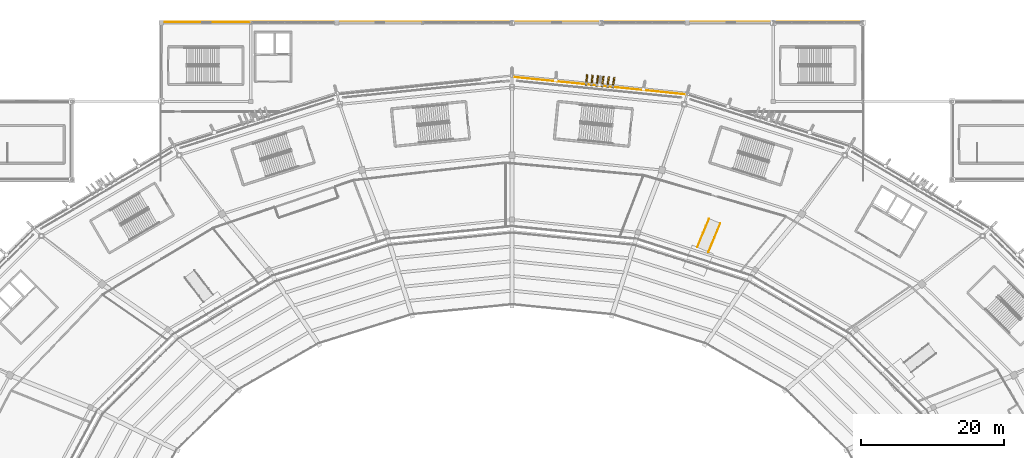
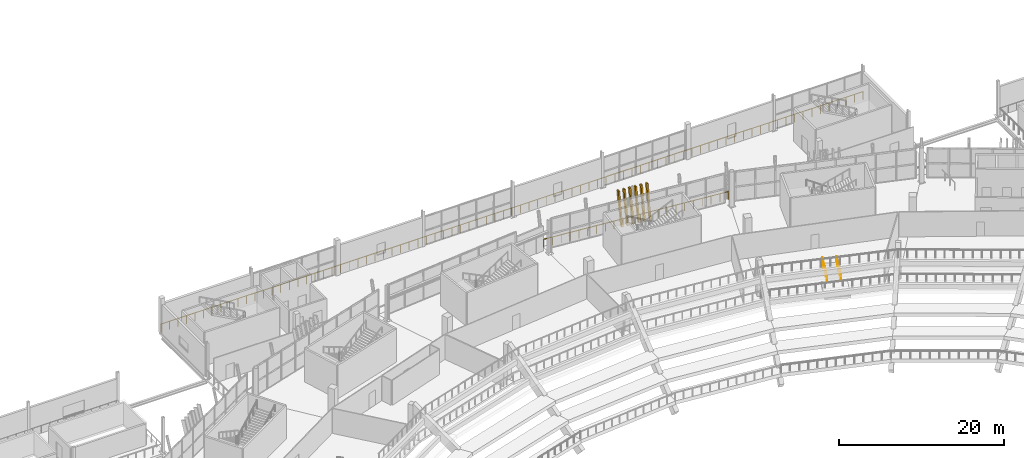
# One storey, part 176 of 178: 6 shading devices, 4 railings.
"""IFC4 building model written with IfcOpenShell, lengths in metres."""

from ifc_helpers import new_model, si_unit, direction, frame, origin, origin_2d, place, context, subcontext, project, spatial, rectangle, extrude, material, material_profile, profile_set, type_object, element, save


model = new_model("IFC4")

# Units and contexts
model_context = context("Model", 3, precision=1e-05, world=origin(), true_north=direction((0.0, 1.0)))
body_context = subcontext(model_context, "Body", "Model", "MODEL_VIEW")
ifc_project = project(units=[si_unit("LENGTHUNIT", "METRE"), si_unit("AREAUNIT", "SQUARE_METRE"), si_unit("VOLUMEUNIT", "CUBIC_METRE"), si_unit("PLANEANGLEUNIT", "RADIAN"), si_unit("MASSUNIT", "GRAM", prefix="KILO")], contexts=[model_context])

# Site, building, storey
site_placement = place(None, origin())
site = spatial("IfcSite", under=ifc_project, at=site_placement, CompositionType="ELEMENT")
building_placement = place(site_placement, origin())
building = spatial("IfcBuilding", under=site, at=building_placement, Name="Zlatoyarsky Gate Stadium", CompositionType="ELEMENT")
storey_placement = place(building_placement, frame((0.0, 0.0, 5.39990234375)))
storey = spatial("IfcBuildingStorey", under=building, at=storey_placement, Name="L01", CompositionType="ELEMENT", Elevation=5.39990234375)

# Railings
ifc_material_1 = material(Name="Powder-coated steel tubular guardrail", Category="steel")
railing_type_1 = type_object("IfcRailingType", Name="CONCOURSE SLAB EDGE GUARDRAIL 1200", PredefinedType="GUARDRAIL", material=ifc_material_1)
railing_1_placement = place(storey_placement, frame((135.43994140625, 149.960693359375, 0.0)))
element("IfcRailing", 1, at=railing_1_placement, inside=storey, type_object=railing_type_1, Name="L01 outer slab edge guardrail 05", PredefinedType="GUARDRAIL", context=body_context, shape_type="SweptSolid", body=[
    extrude(rectangle(XDim=0.048095703125, YDim=0.048095703125, at=origin_2d()), frame((0.0, 0.0, 1.17578125), z_axis=(-0.994940882427, 0.100462134533, 0.0), x_axis=(-0.100462134533, -0.994940882427, 0.0)), (0.0, 0.0, 1.0), 24.564208984375),
    extrude(rectangle(XDim=0.0419921875, YDim=0.0419921875, at=origin_2d()), origin(), (0.0, 0.0, 1.0), 1.15185546875),
    extrude(rectangle(XDim=0.0419921875, YDim=0.0419921875, at=origin_2d()), frame((-1.163818359375, 0.117431640625, 0.0)), (0.0, 0.0, 1.0), 1.15185546875),
    extrude(rectangle(XDim=0.0419921875, YDim=0.0419921875, at=origin_2d()), frame((-2.32763671875, 0.235107421875, 0.0)), (0.0, 0.0, 1.0), 1.15185546875),
    extrude(rectangle(XDim=0.0419921875, YDim=0.0419921875, at=origin_2d()), frame((-3.491455078125, 0.3525390625, 0.0)), (0.0, 0.0, 1.0), 1.15185546875),
    extrude(rectangle(XDim=0.0419921875, YDim=0.0419921875, at=origin_2d()), frame((-4.6552734375, 0.469970703125, 0.0)), (0.0, 0.0, 1.0), 1.15185546875),
    extrude(rectangle(XDim=0.0419921875, YDim=0.0419921875, at=origin_2d()), frame((-5.819091796875, 0.587646484375, 0.0)), (0.0, 0.0, 1.0), 1.15185546875),
    extrude(rectangle(XDim=0.0419921875, YDim=0.0419921875, at=origin_2d()), frame((-6.98291015625, 0.705078125, 0.0)), (0.0, 0.0, 1.0), 1.15185546875),
    extrude(rectangle(XDim=0.0419921875, YDim=0.0419921875, at=origin_2d()), frame((-8.146728515625, 0.822509765625, 0.0)), (0.0, 0.0, 1.0), 1.15185546875),
    extrude(rectangle(XDim=0.0419921875, YDim=0.0419921875, at=origin_2d()), frame((-9.310546875, 0.940185546875, 0.0)), (0.0, 0.0, 1.0), 1.15185546875),
    extrude(rectangle(XDim=0.0419921875, YDim=0.0419921875, at=origin_2d()), frame((-10.474365234375, 1.0576171875, 0.0)), (0.0, 0.0, 1.0), 1.15185546875),
    extrude(rectangle(XDim=0.0419921875, YDim=0.0419921875, at=origin_2d()), frame((-11.63818359375, 1.175048828125, 0.0)), (0.0, 0.0, 1.0), 1.15185546875),
    extrude(rectangle(XDim=0.0419921875, YDim=0.0419921875, at=origin_2d()), frame((-12.8017578125, 1.292724609375, 0.0)), (0.0, 0.0, 1.0), 1.15185546875),
    extrude(rectangle(XDim=0.0419921875, YDim=0.0419921875, at=origin_2d()), frame((-13.965576171875, 1.41015625, 0.0)), (0.0, 0.0, 1.0), 1.15185546875),
    extrude(rectangle(XDim=0.0419921875, YDim=0.0419921875, at=origin_2d()), frame((-15.12939453125, 1.527587890625, 0.0)), (0.0, 0.0, 1.0), 1.15185546875),
    extrude(rectangle(XDim=0.0419921875, YDim=0.0419921875, at=origin_2d()), frame((-16.293212890625, 1.645263671875, 0.0)), (0.0, 0.0, 1.0), 1.15185546875),
    extrude(rectangle(XDim=0.0419921875, YDim=0.0419921875, at=origin_2d()), frame((-17.45703125, 1.7626953125, 0.0)), (0.0, 0.0, 1.0), 1.15185546875),
    extrude(rectangle(XDim=0.0419921875, YDim=0.0419921875, at=origin_2d()), frame((-18.620849609375, 1.880126953125, 0.0)), (0.0, 0.0, 1.0), 1.15185546875),
    extrude(rectangle(XDim=0.0419921875, YDim=0.0419921875, at=origin_2d()), frame((-19.78466796875, 1.997802734375, 0.0)), (0.0, 0.0, 1.0), 1.15185546875),
    extrude(rectangle(XDim=0.0419921875, YDim=0.0419921875, at=origin_2d()), frame((-20.948486328125, 2.115234375, 0.0)), (0.0, 0.0, 1.0), 1.15185546875),
    extrude(rectangle(XDim=0.0419921875, YDim=0.0419921875, at=origin_2d()), frame((-22.1123046875, 2.232666015625, 0.0)), (0.0, 0.0, 1.0), 1.15185546875),
    extrude(rectangle(XDim=0.0419921875, YDim=0.0419921875, at=origin_2d()), frame((-23.276123046875, 2.350341796875, 0.0)), (0.0, 0.0, 1.0), 1.15185546875),
    extrude(rectangle(XDim=0.0419921875, YDim=0.0419921875, at=origin_2d()), frame((-24.43994140625, 2.4677734375, 0.0)), (0.0, 0.0, 1.0), 1.15185546875),
])
railing_2_placement = place(storey_placement, frame((61.919921875, 160.080078125, 0.0)))
element("IfcRailing", 2, at=railing_2_placement, inside=storey, type_object=railing_type_1, Name="V2_NORTH L01 N slab edge guardrail", PredefinedType="GUARDRAIL", context=body_context, shape_type="SweptSolid", body=[
    extrude(rectangle(XDim=0.048095703125, YDim=0.048095703125, at=origin_2d()), frame((0.0, 0.0, 1.17578125), z_axis=(1.0, 0.0, 0.0), x_axis=(0.0, 1.0, 0.0)), (0.0, 0.0, 1.0), 98.16015625),
    extrude(rectangle(XDim=0.0419921875, YDim=0.0419921875, at=origin_2d()), origin(), (0.0, 0.0, 1.0), 1.15185546875),
    extrude(rectangle(XDim=0.0419921875, YDim=0.0419921875, at=origin_2d()), frame((1.197021484375, 0.0, 0.0)), (0.0, 0.0, 1.0), 1.15185546875),
    extrude(rectangle(XDim=0.0419921875, YDim=0.0419921875, at=origin_2d()), frame((2.39404296875, 0.0, 0.0)), (0.0, 0.0, 1.0), 1.15185546875),
    extrude(rectangle(XDim=0.0419921875, YDim=0.0419921875, at=origin_2d()), frame((3.59130859375, 0.0, 0.0)), (0.0, 0.0, 1.0), 1.15185546875),
    extrude(rectangle(XDim=0.0419921875, YDim=0.0419921875, at=origin_2d()), frame((4.788330078125, 0.0, 0.0)), (0.0, 0.0, 1.0), 1.15185546875),
    extrude(rectangle(XDim=0.0419921875, YDim=0.0419921875, at=origin_2d()), frame((5.9853515625, 0.0, 0.0)), (0.0, 0.0, 1.0), 1.15185546875),
    extrude(rectangle(XDim=0.0419921875, YDim=0.0419921875, at=origin_2d()), frame((7.182373046875, 0.0, 0.0)), (0.0, 0.0, 1.0), 1.15185546875),
    extrude(rectangle(XDim=0.0419921875, YDim=0.0419921875, at=origin_2d()), frame((8.379638671875, 0.0, 0.0)), (0.0, 0.0, 1.0), 1.15185546875),
    extrude(rectangle(XDim=0.0419921875, YDim=0.0419921875, at=origin_2d()), frame((9.57666015625, 0.0, 0.0)), (0.0, 0.0, 1.0), 1.15185546875),
    extrude(rectangle(XDim=0.0419921875, YDim=0.0419921875, at=origin_2d()), frame((10.773681640625, 0.0, 0.0)), (0.0, 0.0, 1.0), 1.15185546875),
    extrude(rectangle(XDim=0.0419921875, YDim=0.0419921875, at=origin_2d()), frame((11.970703125, 0.0, 0.0)), (0.0, 0.0, 1.0), 1.15185546875),
    extrude(rectangle(XDim=0.0419921875, YDim=0.0419921875, at=origin_2d()), frame((13.167724609375, 0.0, 0.0)), (0.0, 0.0, 1.0), 1.15185546875),
    extrude(rectangle(XDim=0.0419921875, YDim=0.0419921875, at=origin_2d()), frame((14.364990234375, 0.0, 0.0)), (0.0, 0.0, 1.0), 1.15185546875),
    extrude(rectangle(XDim=0.0419921875, YDim=0.0419921875, at=origin_2d()), frame((15.56201171875, 0.0, 0.0)), (0.0, 0.0, 1.0), 1.15185546875),
    extrude(rectangle(XDim=0.0419921875, YDim=0.0419921875, at=origin_2d()), frame((16.759033203125, 0.0, 0.0)), (0.0, 0.0, 1.0), 1.15185546875),
    extrude(rectangle(XDim=0.0419921875, YDim=0.0419921875, at=origin_2d()), frame((17.9560546875, 0.0, 0.0)), (0.0, 0.0, 1.0), 1.15185546875),
    extrude(rectangle(XDim=0.0419921875, YDim=0.0419921875, at=origin_2d()), frame((19.1533203125, 0.0, 0.0)), (0.0, 0.0, 1.0), 1.15185546875),
    extrude(rectangle(XDim=0.0419921875, YDim=0.0419921875, at=origin_2d()), frame((20.350341796875, 0.0, 0.0)), (0.0, 0.0, 1.0), 1.15185546875),
    extrude(rectangle(XDim=0.0419921875, YDim=0.0419921875, at=origin_2d()), frame((21.54736328125, 0.0, 0.0)), (0.0, 0.0, 1.0), 1.15185546875),
    extrude(rectangle(XDim=0.0419921875, YDim=0.0419921875, at=origin_2d()), frame((22.744384765625, 0.0, 0.0)), (0.0, 0.0, 1.0), 1.15185546875),
    extrude(rectangle(XDim=0.0419921875, YDim=0.0419921875, at=origin_2d()), frame((23.94140625, 0.0, 0.0)), (0.0, 0.0, 1.0), 1.15185546875),
    extrude(rectangle(XDim=0.0419921875, YDim=0.0419921875, at=origin_2d()), frame((25.138671875, 0.0, 0.0)), (0.0, 0.0, 1.0), 1.15185546875),
    extrude(rectangle(XDim=0.0419921875, YDim=0.0419921875, at=origin_2d()), frame((26.335693359375, 0.0, 0.0)), (0.0, 0.0, 1.0), 1.15185546875),
    extrude(rectangle(XDim=0.0419921875, YDim=0.0419921875, at=origin_2d()), frame((27.53271484375, 0.0, 0.0)), (0.0, 0.0, 1.0), 1.15185546875),
    extrude(rectangle(XDim=0.0419921875, YDim=0.0419921875, at=origin_2d()), frame((28.729736328125, 0.0, 0.0)), (0.0, 0.0, 1.0), 1.15185546875),
    extrude(rectangle(XDim=0.0419921875, YDim=0.0419921875, at=origin_2d()), frame((29.9267578125, 0.0, 0.0)), (0.0, 0.0, 1.0), 1.15185546875),
    extrude(rectangle(XDim=0.0419921875, YDim=0.0419921875, at=origin_2d()), frame((31.1240234375, 0.0, 0.0)), (0.0, 0.0, 1.0), 1.15185546875),
    extrude(rectangle(XDim=0.0419921875, YDim=0.0419921875, at=origin_2d()), frame((32.321044921875, 0.0, 0.0)), (0.0, 0.0, 1.0), 1.15185546875),
    extrude(rectangle(XDim=0.0419921875, YDim=0.0419921875, at=origin_2d()), frame((33.51806640625, 0.0, 0.0)), (0.0, 0.0, 1.0), 1.15185546875),
    extrude(rectangle(XDim=0.0419921875, YDim=0.0419921875, at=origin_2d()), frame((34.715087890625, 0.0, 0.0)), (0.0, 0.0, 1.0), 1.15185546875),
    extrude(rectangle(XDim=0.0419921875, YDim=0.0419921875, at=origin_2d()), frame((35.912353515625, 0.0, 0.0)), (0.0, 0.0, 1.0), 1.15185546875),
    extrude(rectangle(XDim=0.0419921875, YDim=0.0419921875, at=origin_2d()), frame((37.109375, 0.0, 0.0)), (0.0, 0.0, 1.0), 1.15185546875),
    extrude(rectangle(XDim=0.0419921875, YDim=0.0419921875, at=origin_2d()), frame((38.306396484375, 0.0, 0.0)), (0.0, 0.0, 1.0), 1.15185546875),
    extrude(rectangle(XDim=0.0419921875, YDim=0.0419921875, at=origin_2d()), frame((39.50341796875, 0.0, 0.0)), (0.0, 0.0, 1.0), 1.15185546875),
    extrude(rectangle(XDim=0.0419921875, YDim=0.0419921875, at=origin_2d()), frame((40.700439453125, 0.0, 0.0)), (0.0, 0.0, 1.0), 1.15185546875),
    extrude(rectangle(XDim=0.0419921875, YDim=0.0419921875, at=origin_2d()), frame((41.897705078125, 0.0, 0.0)), (0.0, 0.0, 1.0), 1.15185546875),
    extrude(rectangle(XDim=0.0419921875, YDim=0.0419921875, at=origin_2d()), frame((43.0947265625, 0.0, 0.0)), (0.0, 0.0, 1.0), 1.15185546875),
    extrude(rectangle(XDim=0.0419921875, YDim=0.0419921875, at=origin_2d()), frame((44.291748046875, 0.0, 0.0)), (0.0, 0.0, 1.0), 1.15185546875),
    extrude(rectangle(XDim=0.0419921875, YDim=0.0419921875, at=origin_2d()), frame((45.48876953125, 0.0, 0.0)), (0.0, 0.0, 1.0), 1.15185546875),
    extrude(rectangle(XDim=0.0419921875, YDim=0.0419921875, at=origin_2d()), frame((46.68603515625, 0.0, 0.0)), (0.0, 0.0, 1.0), 1.15185546875),
    extrude(rectangle(XDim=0.0419921875, YDim=0.0419921875, at=origin_2d()), frame((47.883056640625, 0.0, 0.0)), (0.0, 0.0, 1.0), 1.15185546875),
    extrude(rectangle(XDim=0.0419921875, YDim=0.0419921875, at=origin_2d()), frame((49.080078125, 0.0, 0.0)), (0.0, 0.0, 1.0), 1.15185546875),
    extrude(rectangle(XDim=0.0419921875, YDim=0.0419921875, at=origin_2d()), frame((50.277099609375, 0.0, 0.0)), (0.0, 0.0, 1.0), 1.15185546875),
    extrude(rectangle(XDim=0.0419921875, YDim=0.0419921875, at=origin_2d()), frame((51.47412109375, 0.0, 0.0)), (0.0, 0.0, 1.0), 1.15185546875),
    extrude(rectangle(XDim=0.0419921875, YDim=0.0419921875, at=origin_2d()), frame((52.67138671875, 0.0, 0.0)), (0.0, 0.0, 1.0), 1.15185546875),
    extrude(rectangle(XDim=0.0419921875, YDim=0.0419921875, at=origin_2d()), frame((53.868408203125, 0.0, 0.0)), (0.0, 0.0, 1.0), 1.15185546875),
    extrude(rectangle(XDim=0.0419921875, YDim=0.0419921875, at=origin_2d()), frame((55.0654296875, 0.0, 0.0)), (0.0, 0.0, 1.0), 1.15185546875),
    extrude(rectangle(XDim=0.0419921875, YDim=0.0419921875, at=origin_2d()), frame((56.262451171875, 0.0, 0.0)), (0.0, 0.0, 1.0), 1.15185546875),
    extrude(rectangle(XDim=0.0419921875, YDim=0.0419921875, at=origin_2d()), frame((57.459716796875, 0.0, 0.0)), (0.0, 0.0, 1.0), 1.15185546875),
    extrude(rectangle(XDim=0.0419921875, YDim=0.0419921875, at=origin_2d()), frame((58.65673828125, 0.0, 0.0)), (0.0, 0.0, 1.0), 1.15185546875),
    extrude(rectangle(XDim=0.0419921875, YDim=0.0419921875, at=origin_2d()), frame((59.853759765625, 0.0, 0.0)), (0.0, 0.0, 1.0), 1.15185546875),
    extrude(rectangle(XDim=0.0419921875, YDim=0.0419921875, at=origin_2d()), frame((61.05078125, 0.0, 0.0)), (0.0, 0.0, 1.0), 1.15185546875),
    extrude(rectangle(XDim=0.0419921875, YDim=0.0419921875, at=origin_2d()), frame((62.247802734375, 0.0, 0.0)), (0.0, 0.0, 1.0), 1.15185546875),
    extrude(rectangle(XDim=0.0419921875, YDim=0.0419921875, at=origin_2d()), frame((63.445068359375, 0.0, 0.0)), (0.0, 0.0, 1.0), 1.15185546875),
    extrude(rectangle(XDim=0.0419921875, YDim=0.0419921875, at=origin_2d()), frame((64.64208984375, 0.0, 0.0)), (0.0, 0.0, 1.0), 1.15185546875),
    extrude(rectangle(XDim=0.0419921875, YDim=0.0419921875, at=origin_2d()), frame((65.839111328125, 0.0, 0.0)), (0.0, 0.0, 1.0), 1.15185546875),
    extrude(rectangle(XDim=0.0419921875, YDim=0.0419921875, at=origin_2d()), frame((67.0361328125, 0.0, 0.0)), (0.0, 0.0, 1.0), 1.15185546875),
    extrude(rectangle(XDim=0.0419921875, YDim=0.0419921875, at=origin_2d()), frame((68.2333984375, 0.0, 0.0)), (0.0, 0.0, 1.0), 1.15185546875),
    extrude(rectangle(XDim=0.0419921875, YDim=0.0419921875, at=origin_2d()), frame((69.430419921875, 0.0, 0.0)), (0.0, 0.0, 1.0), 1.15185546875),
    extrude(rectangle(XDim=0.0419921875, YDim=0.0419921875, at=origin_2d()), frame((70.62744140625, 0.0, 0.0)), (0.0, 0.0, 1.0), 1.15185546875),
    extrude(rectangle(XDim=0.0419921875, YDim=0.0419921875, at=origin_2d()), frame((71.824462890625, 0.0, 0.0)), (0.0, 0.0, 1.0), 1.15185546875),
    extrude(rectangle(XDim=0.0419921875, YDim=0.0419921875, at=origin_2d()), frame((73.021484375, 0.0, 0.0)), (0.0, 0.0, 1.0), 1.15185546875),
    extrude(rectangle(XDim=0.0419921875, YDim=0.0419921875, at=origin_2d()), frame((74.21875, 0.0, 0.0)), (0.0, 0.0, 1.0), 1.15185546875),
    extrude(rectangle(XDim=0.0419921875, YDim=0.0419921875, at=origin_2d()), frame((75.415771484375, 0.0, 0.0)), (0.0, 0.0, 1.0), 1.15185546875),
    extrude(rectangle(XDim=0.0419921875, YDim=0.0419921875, at=origin_2d()), frame((76.61279296875, 0.0, 0.0)), (0.0, 0.0, 1.0), 1.15185546875),
    extrude(rectangle(XDim=0.0419921875, YDim=0.0419921875, at=origin_2d()), frame((77.809814453125, 0.0, 0.0)), (0.0, 0.0, 1.0), 1.15185546875),
    extrude(rectangle(XDim=0.0419921875, YDim=0.0419921875, at=origin_2d()), frame((79.0068359375, 0.0, 0.0)), (0.0, 0.0, 1.0), 1.15185546875),
    extrude(rectangle(XDim=0.0419921875, YDim=0.0419921875, at=origin_2d()), frame((80.2041015625, 0.0, 0.0)), (0.0, 0.0, 1.0), 1.15185546875),
    extrude(rectangle(XDim=0.0419921875, YDim=0.0419921875, at=origin_2d()), frame((81.401123046875, 0.0, 0.0)), (0.0, 0.0, 1.0), 1.15185546875),
    extrude(rectangle(XDim=0.0419921875, YDim=0.0419921875, at=origin_2d()), frame((82.59814453125, 0.0, 0.0)), (0.0, 0.0, 1.0), 1.15185546875),
    extrude(rectangle(XDim=0.0419921875, YDim=0.0419921875, at=origin_2d()), frame((83.795166015625, 0.0, 0.0)), (0.0, 0.0, 1.0), 1.15185546875),
    extrude(rectangle(XDim=0.0419921875, YDim=0.0419921875, at=origin_2d()), frame((84.992431640625, 0.0, 0.0)), (0.0, 0.0, 1.0), 1.15185546875),
    extrude(rectangle(XDim=0.0419921875, YDim=0.0419921875, at=origin_2d()), frame((86.189453125, 0.0, 0.0)), (0.0, 0.0, 1.0), 1.15185546875),
    extrude(rectangle(XDim=0.0419921875, YDim=0.0419921875, at=origin_2d()), frame((87.386474609375, 0.0, 0.0)), (0.0, 0.0, 1.0), 1.15185546875),
    extrude(rectangle(XDim=0.0419921875, YDim=0.0419921875, at=origin_2d()), frame((88.58349609375, 0.0, 0.0)), (0.0, 0.0, 1.0), 1.15185546875),
    extrude(rectangle(XDim=0.0419921875, YDim=0.0419921875, at=origin_2d()), frame((89.780517578125, 0.0, 0.0)), (0.0, 0.0, 1.0), 1.15185546875),
    extrude(rectangle(XDim=0.0419921875, YDim=0.0419921875, at=origin_2d()), frame((90.977783203125, 0.0, 0.0)), (0.0, 0.0, 1.0), 1.15185546875),
    extrude(rectangle(XDim=0.0419921875, YDim=0.0419921875, at=origin_2d()), frame((92.1748046875, 0.0, 0.0)), (0.0, 0.0, 1.0), 1.15185546875),
    extrude(rectangle(XDim=0.0419921875, YDim=0.0419921875, at=origin_2d()), frame((93.371826171875, 0.0, 0.0)), (0.0, 0.0, 1.0), 1.15185546875),
    extrude(rectangle(XDim=0.0419921875, YDim=0.0419921875, at=origin_2d()), frame((94.56884765625, 0.0, 0.0)), (0.0, 0.0, 1.0), 1.15185546875),
    extrude(rectangle(XDim=0.0419921875, YDim=0.0419921875, at=origin_2d()), frame((95.76611328125, 0.0, 0.0)), (0.0, 0.0, 1.0), 1.15185546875),
    extrude(rectangle(XDim=0.0419921875, YDim=0.0419921875, at=origin_2d()), frame((96.963134765625, 0.0, 0.0)), (0.0, 0.0, 1.0), 1.15185546875),
    extrude(rectangle(XDim=0.0419921875, YDim=0.0419921875, at=origin_2d()), frame((98.16015625, 0.0, 0.0)), (0.0, 0.0, 1.0), 1.15185546875),
])

# Shading devices
ifc_material_2 = material(Name="Precast concrete C40/50 stone-toned architectural rib", Category="masonry")
ifc_material_profile = material_profile(ifc_material_2, rectangle(XDim=0.199951171875, YDim=0.47998046875, at=origin_2d()), Name="RIB 200X480")
ifc_profile_set = profile_set([ifc_material_profile], Name="Precast concrete C40/50 stone-toned architectural rib")
shading_device_type = type_object("IfcShadingDeviceType", Name="PRECAST FLUTED GATE LOUVRE BLADE 200X480", PredefinedType="SHUTTER", material=ifc_profile_set)
for number, where, z_axis, x_axis, name in (
    (3, (125.098388671875, 151.1044921875, -0.010009765625), (0.033173733252, 0.218071504172, 0.975368813573), (-0.988626294086, 0.150392987341, 0.0), "Leaning bowl louvre fin L01-05-1"),
    (4, (124.352294921875, 151.1796875, -0.010009765625), (0.031392996859, 0.218326336343, 0.975370745208), (-0.989819903537, 0.142325537283, 0.0), "Leaning bowl louvre fin L01-05-2"),
    (5, (123.60595703125, 151.255126953125, -0.010009765625), (0.029663322713, 0.218531682767, 0.975378896077), (-0.990912813939, 0.134505744011, 0.0), "Leaning bowl louvre fin L01-05-3"),
    (6, (122.85986328125, 151.33056640625, -0.010009765625), (0.027882383392, 0.218785125153, 0.975374616088), (-0.991976885023, 0.126419379766, 0.0), "Leaning bowl louvre fin L01-05-4"),
    (7, (122.113525390625, 151.406005859375, -0.010009765625), (0.026152511772, 0.218989125814, 0.975376752288), (-0.992944360778, 0.118581180632, 0.0), "Leaning bowl louvre fin L01-05-5"),
    (8, (121.367431640625, 151.481201171875, -0.010009765625), (0.024371436564, 0.219241169421, 0.975366260802), (-0.993878107733, 0.110482156789, 0.0), "Leaning bowl louvre fin L01-05-6"),
):
    element("IfcShadingDevice", number, at=place(storey_placement, frame(where, z_axis=z_axis, x_axis=x_axis)), inside=storey, type_object=shading_device_type, Name=name, PredefinedType="SHUTTER", context=body_context, shape_type="SweptSolid", body=[
        extrude(rectangle(XDim=0.199951171875, YDim=0.47998046875, at=origin_2d()), origin(), (0.0, 0.0, 1.0), 4.79833984375),
    ])

# Railings
ifc_material_3 = material(Name="Brushed stainless steel 316 handrail", Category="steel")
railing_type_2 = type_object("IfcRailingType", Name="STAINLESS STEEL TUBULAR HANDRAIL 900", PredefinedType="HANDRAIL", material=ifc_material_3)
railing_3_placement = place(storey_placement, frame((140.104248046875, 131.966796875, 0.0)))
element("IfcRailing", 9, at=railing_3_placement, inside=storey, type_object=railing_type_2, Name="AR-05 accessible ramp handrail L", PredefinedType="HANDRAIL", context=body_context, shape_type="SweptSolid", body=[
    extrude(rectangle(XDim=0.048095703125, YDim=0.048095703125, at=origin_2d()), frame((0.0, 0.0, 0.8759765625), z_axis=(-0.38133368876, -0.920697554844, 0.083070032628), x_axis=(0.923890787601, -0.382656259044, 0.0)), (0.0, 0.0, 1.0), 4.3349609375),
    extrude(rectangle(XDim=0.0419921875, YDim=0.0419921875, at=origin_2d()), origin(), (0.0, 0.0, 1.0), 0.851806640625),
    extrude(rectangle(XDim=0.0419921875, YDim=0.0419921875, at=origin_2d()), frame((-0.413330078125, -0.997802734375, 0.090087890625)), (0.0, 0.0, 1.0), 0.851806640625),
    extrude(rectangle(XDim=0.0419921875, YDim=0.0419921875, at=origin_2d()), frame((-0.82666015625, -1.99560546875, 0.18017578125)), (0.0, 0.0, 1.0), 0.851806640625),
    extrude(rectangle(XDim=0.0419921875, YDim=0.0419921875, at=origin_2d()), frame((-1.23974609375, -2.993408203125, 0.27001953125)), (0.0, 0.0, 1.0), 0.851806640625),
    extrude(rectangle(XDim=0.0419921875, YDim=0.0419921875, at=origin_2d()), frame((-1.653076171875, -3.9912109375, 0.360107421875)), (0.0, 0.0, 1.0), 0.851806640625),
])
railing_4_placement = place(storey_placement, frame((138.53369140625, 132.6171875, 0.0)))
element("IfcRailing", 10, at=railing_4_placement, inside=storey, type_object=railing_type_2, Name="AR-05 accessible ramp handrail R", PredefinedType="HANDRAIL", context=body_context, shape_type="SweptSolid", body=[
    extrude(rectangle(XDim=0.048095703125, YDim=0.048095703125, at=origin_2d()), frame((0.0, 0.0, 0.8759765625), z_axis=(-0.381353462782, -0.920688975942, 0.083074340216), x_axis=(0.923882511846, -0.382676239537, 0.0)), (0.0, 0.0, 1.0), 4.334716796875),
    extrude(rectangle(XDim=0.0419921875, YDim=0.0419921875, at=origin_2d()), origin(), (0.0, 0.0, 1.0), 0.851806640625),
    extrude(rectangle(XDim=0.0419921875, YDim=0.0419921875, at=origin_2d()), frame((-0.413330078125, -0.997802734375, 0.090087890625)), (0.0, 0.0, 1.0), 0.851806640625),
    extrude(rectangle(XDim=0.0419921875, YDim=0.0419921875, at=origin_2d()), frame((-0.82666015625, -1.99560546875, 0.18017578125)), (0.0, 0.0, 1.0), 0.851806640625),
    extrude(rectangle(XDim=0.0419921875, YDim=0.0419921875, at=origin_2d()), frame((-1.23974609375, -2.9931640625, 0.27001953125)), (0.0, 0.0, 1.0), 0.851806640625),
    extrude(rectangle(XDim=0.0419921875, YDim=0.0419921875, at=origin_2d()), frame((-1.653076171875, -3.990966796875, 0.360107421875)), (0.0, 0.0, 1.0), 0.851806640625),
])

save(model, "model.ifc")
